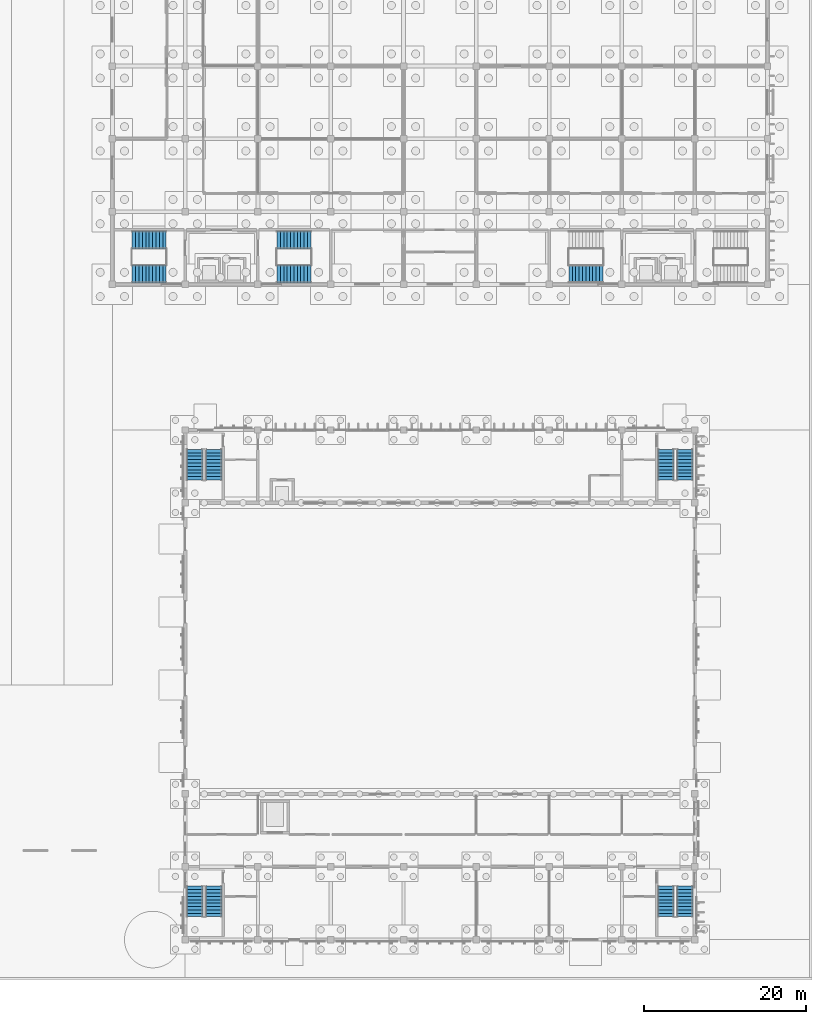
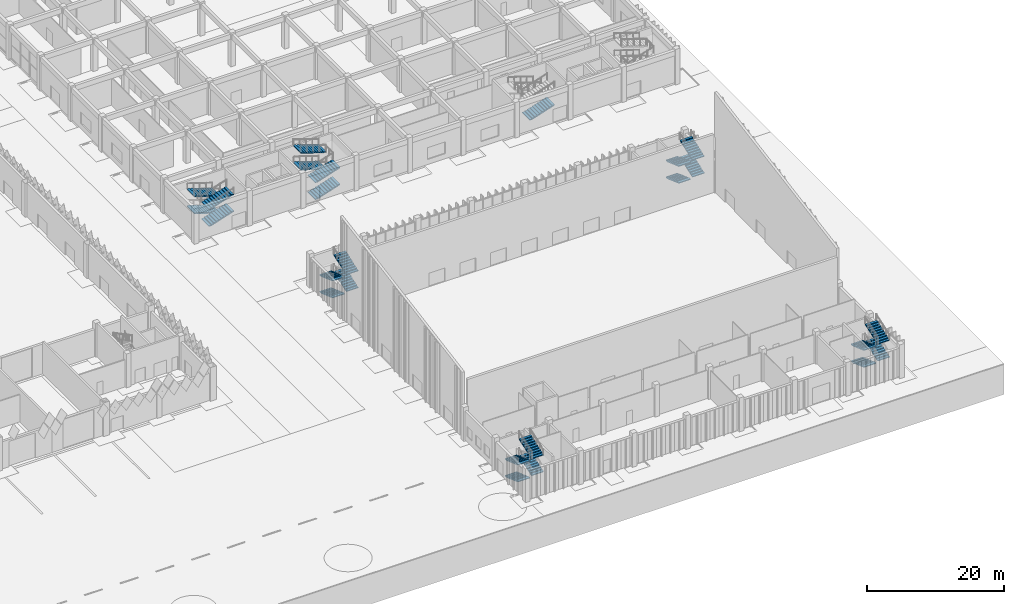
# One storey, part 111 of 198: 25 stair flights, 7 elements without a shape of their own.
"""IFC4 building model written with IfcOpenShell, lengths in metres."""

from ifc_helpers import new_model, si_unit, direction, frame, origin, place, context, subcontext, project, spatial, polyline, outline, extrude, material, type_object, element, aggregate, save


model = new_model("IFC4")

# Units and contexts
model_context = context("Model", 3, precision=1e-05, world=origin(), true_north=direction((0.0, 1.0)))
body_context = subcontext(model_context, "Body", "Model", "MODEL_VIEW")
ifc_project = project(units=[si_unit("LENGTHUNIT", "METRE"), si_unit("AREAUNIT", "SQUARE_METRE"), si_unit("VOLUMEUNIT", "CUBIC_METRE"), si_unit("PLANEANGLEUNIT", "RADIAN"), si_unit("MASSUNIT", "GRAM", prefix="KILO")], contexts=[model_context])

# Site, building, storey
site_placement = place(None, origin())
site = spatial("IfcSite", under=ifc_project, at=site_placement, CompositionType="ELEMENT")
building_placement = place(site_placement, origin())
building = spatial("IfcBuilding", under=site, at=building_placement, Name="Opaline Strait Convention Centre", CompositionType="ELEMENT")
storey_placement = place(building_placement, origin())
storey = spatial("IfcBuildingStorey", under=building, at=storey_placement, Name="L00", CompositionType="ELEMENT", Elevation=0.0)

# Stair, stair flights
ifc_material = material(Name="Concrete C40", Category="concrete")
stair_type_1 = type_object("IfcStairType", Name="Exit stair two flights 2000", PredefinedType="HALF_TURN_STAIR", material=ifc_material)
stair_1_placement = place(storey_placement, origin())
stair_1 = element("IfcStair", 1, at=stair_1_placement, inside=storey, type_object=stair_type_1, Name="L00 Ballroom stair NE", ObjectType="BS4", PredefinedType="HALF_TURN_STAIR")
stair_flight_type_1 = type_object("IfcStairFlightType", Name="Stair flight 2000 precast", PredefinedType="STRAIGHT", material=ifc_material)
stair_flight_1_placement = place(storey_placement, frame((347.449951171875, 69.60009765625, 0.0), z_axis=(0.0, 0.0, 1.0), x_axis=(0.0, -1.0, 0.0)))
stair_flight_1 = element("IfcStairFlight", 2, at=stair_flight_1_placement, type_object=stair_flight_type_1, Name="B-STNE flight 1", ObjectType="BS5", NumberOfRisers=10, NumberOfTreads=9, PredefinedType="STRAIGHT", RiserHeight=0.15, TreadLength=0.42, context=body_context, shape_type="SweptSolid", body=[
    extrude(outline(polyline([(0.0, 0.0), (0.0, 0.14990234375), (0.419921875, 0.14990234375), (0.419921875, 0.300048828125), (0.840087890625, 0.300048828125), (0.840087890625, 0.449951171875), (1.260009765625, 0.449951171875), (1.260009765625, 0.60009765625), (1.679931640625, 0.60009765625), (1.679931640625, 0.75), (2.10009765625, 0.75), (2.10009765625, 0.89990234375), (2.52001953125, 0.89990234375), (2.52001953125, 1.050048828125), (2.93994140625, 1.050048828125), (2.93994140625, 1.199951171875), (3.360107421875, 1.199951171875), (3.360107421875, 1.35009765625), (3.780029296875, 1.35009765625), (3.780029296875, 1.5), (3.780029296875, 1.19091796875), (0.44580078125, 0.0), (0.0, 0.0)])), frame((0.0, 1.0, 0.0), z_axis=(0.0, -1.0, 0.0), x_axis=(1.0, 0.0, 0.0)), (0.0, 0.0, 1.0), 2.0),
])
stair_flight_2_placement = place(storey_placement, frame((349.800048828125, 65.820068359375, 1.5), z_axis=(0.0, 0.0, 1.0), x_axis=(0.0, 1.0, 0.0)))
stair_flight_2 = element("IfcStairFlight", 3, at=stair_flight_2_placement, type_object=stair_flight_type_1, Name="B-STNE flight 2", ObjectType="BS5", NumberOfRisers=10, NumberOfTreads=9, PredefinedType="STRAIGHT", RiserHeight=0.15, TreadLength=0.42, context=body_context, shape_type="SweptSolid", body=[
    extrude(outline(polyline([(0.0, 0.0), (0.0, 0.14990234375), (0.419921875, 0.14990234375), (0.419921875, 0.300048828125), (0.840087890625, 0.300048828125), (0.840087890625, 0.449951171875), (1.260009765625, 0.449951171875), (1.260009765625, 0.60009765625), (1.679931640625, 0.60009765625), (1.679931640625, 0.75), (2.10009765625, 0.75), (2.10009765625, 0.89990234375), (2.52001953125, 0.89990234375), (2.52001953125, 1.050048828125), (2.93994140625, 1.050048828125), (2.93994140625, 1.199951171875), (3.360107421875, 1.199951171875), (3.360107421875, 1.35009765625), (3.780029296875, 1.35009765625), (3.780029296875, 1.5), (3.780029296875, 1.19091796875), (0.44580078125, 0.0), (0.0, 0.0)])), frame((0.0, 1.0, 0.0), z_axis=(0.0, -1.0, 0.0), x_axis=(1.0, 0.0, 0.0)), (0.0, 0.0, 1.0), 2.0),
])
stair_flight_3_placement = place(storey_placement, frame((347.449951171875, 69.60009765625, 3.0), z_axis=(0.0, 0.0, 1.0), x_axis=(0.0, -1.0, 0.0)))
stair_flight_3 = element("IfcStairFlight", 4, at=stair_flight_3_placement, type_object=stair_flight_type_1, Name="B-STNE flight 3", ObjectType="BS5", NumberOfRisers=10, NumberOfTreads=9, PredefinedType="STRAIGHT", RiserHeight=0.15, TreadLength=0.42, context=body_context, shape_type="SweptSolid", body=[
    extrude(outline(polyline([(0.0, 0.0), (0.0, 0.14990234375), (0.419921875, 0.14990234375), (0.419921875, 0.300048828125), (0.840087890625, 0.300048828125), (0.840087890625, 0.449951171875), (1.260009765625, 0.449951171875), (1.260009765625, 0.60009765625), (1.679931640625, 0.60009765625), (1.679931640625, 0.75), (2.10009765625, 0.75), (2.10009765625, 0.89990234375), (2.52001953125, 0.89990234375), (2.52001953125, 1.050048828125), (2.93994140625, 1.050048828125), (2.93994140625, 1.199951171875), (3.360107421875, 1.199951171875), (3.360107421875, 1.35009765625), (3.780029296875, 1.35009765625), (3.780029296875, 1.5), (3.780029296875, 1.19091796875), (0.44580078125, 0.0), (0.0, 0.0)])), frame((0.0, 1.0, 0.0), z_axis=(0.0, -1.0, 0.0), x_axis=(1.0, 0.0, 0.0)), (0.0, 0.0, 1.0), 2.0),
])
stair_flight_4_placement = place(storey_placement, frame((349.800048828125, 65.820068359375, 4.5), z_axis=(0.0, 0.0, 1.0), x_axis=(0.0, 1.0, 0.0)))
stair_flight_4 = element("IfcStairFlight", 5, at=stair_flight_4_placement, type_object=stair_flight_type_1, Name="B-STNE flight 4", ObjectType="BS5", NumberOfRisers=10, NumberOfTreads=9, PredefinedType="STRAIGHT", RiserHeight=0.15, TreadLength=0.42, context=body_context, shape_type="SweptSolid", body=[
    extrude(outline(polyline([(0.0, 0.0), (0.0, 0.14990234375), (0.419921875, 0.14990234375), (0.419921875, 0.300048828125), (0.840087890625, 0.300048828125), (0.840087890625, 0.449951171875), (1.260009765625, 0.449951171875), (1.260009765625, 0.60009765625), (1.679931640625, 0.60009765625), (1.679931640625, 0.75), (2.10009765625, 0.75), (2.10009765625, 0.89990234375), (2.52001953125, 0.89990234375), (2.52001953125, 1.050048828125), (2.93994140625, 1.050048828125), (2.93994140625, 1.199951171875), (3.360107421875, 1.199951171875), (3.360107421875, 1.35009765625), (3.780029296875, 1.35009765625), (3.780029296875, 1.5), (3.780029296875, 1.19091796875), (0.44580078125, 0.0), (0.0, 0.0)])), frame((0.0, 1.0, 0.0), z_axis=(0.0, -1.0, 0.0), x_axis=(1.0, 0.0, 0.0)), (0.0, 0.0, 1.0), 2.0),
])
aggregate(stair_1, [stair_flight_1, stair_flight_2, stair_flight_3, stair_flight_4])

stair_2_placement = place(storey_placement, origin())
stair_2 = element("IfcStair", 6, at=stair_2_placement, inside=storey, type_object=stair_type_1, Name="L00 Ballroom stair NW", ObjectType="BS4", PredefinedType="HALF_TURN_STAIR")
stair_flight_5_placement = place(storey_placement, frame((289.199951171875, 69.60009765625, 0.0), z_axis=(0.0, 0.0, 1.0), x_axis=(0.0, -1.0, 0.0)))
stair_flight_5 = element("IfcStairFlight", 7, at=stair_flight_5_placement, type_object=stair_flight_type_1, Name="B-STNW flight 1", ObjectType="BS5", NumberOfRisers=10, NumberOfTreads=9, PredefinedType="STRAIGHT", RiserHeight=0.15, TreadLength=0.42, context=body_context, shape_type="SweptSolid", body=[
    extrude(outline(polyline([(0.0, 0.0), (0.0, 0.14990234375), (0.419921875, 0.14990234375), (0.419921875, 0.300048828125), (0.840087890625, 0.300048828125), (0.840087890625, 0.449951171875), (1.260009765625, 0.449951171875), (1.260009765625, 0.60009765625), (1.679931640625, 0.60009765625), (1.679931640625, 0.75), (2.10009765625, 0.75), (2.10009765625, 0.89990234375), (2.52001953125, 0.89990234375), (2.52001953125, 1.050048828125), (2.93994140625, 1.050048828125), (2.93994140625, 1.199951171875), (3.360107421875, 1.199951171875), (3.360107421875, 1.35009765625), (3.780029296875, 1.35009765625), (3.780029296875, 1.5), (3.780029296875, 1.19091796875), (0.44580078125, 0.0), (0.0, 0.0)])), frame((0.0, 1.0, 0.0), z_axis=(0.0, -1.0, 0.0), x_axis=(1.0, 0.0, 0.0)), (0.0, 0.0, 1.0), 2.0),
])
stair_flight_6_placement = place(storey_placement, frame((291.550048828125, 65.820068359375, 1.5), z_axis=(0.0, 0.0, 1.0), x_axis=(0.0, 1.0, 0.0)))
stair_flight_6 = element("IfcStairFlight", 8, at=stair_flight_6_placement, type_object=stair_flight_type_1, Name="B-STNW flight 2", ObjectType="BS5", NumberOfRisers=10, NumberOfTreads=9, PredefinedType="STRAIGHT", RiserHeight=0.15, TreadLength=0.42, context=body_context, shape_type="SweptSolid", body=[
    extrude(outline(polyline([(0.0, 0.0), (0.0, 0.14990234375), (0.419921875, 0.14990234375), (0.419921875, 0.300048828125), (0.840087890625, 0.300048828125), (0.840087890625, 0.449951171875), (1.260009765625, 0.449951171875), (1.260009765625, 0.60009765625), (1.679931640625, 0.60009765625), (1.679931640625, 0.75), (2.10009765625, 0.75), (2.10009765625, 0.89990234375), (2.52001953125, 0.89990234375), (2.52001953125, 1.050048828125), (2.93994140625, 1.050048828125), (2.93994140625, 1.199951171875), (3.360107421875, 1.199951171875), (3.360107421875, 1.35009765625), (3.780029296875, 1.35009765625), (3.780029296875, 1.5), (3.780029296875, 1.19091796875), (0.44580078125, 0.0), (0.0, 0.0)])), frame((0.0, 1.0, 0.0), z_axis=(0.0, -1.0, 0.0), x_axis=(1.0, 0.0, 0.0)), (0.0, 0.0, 1.0), 2.0),
])
stair_flight_7_placement = place(storey_placement, frame((289.199951171875, 69.60009765625, 3.0), z_axis=(0.0, 0.0, 1.0), x_axis=(0.0, -1.0, 0.0)))
stair_flight_7 = element("IfcStairFlight", 9, at=stair_flight_7_placement, type_object=stair_flight_type_1, Name="B-STNW flight 3", ObjectType="BS5", NumberOfRisers=10, NumberOfTreads=9, PredefinedType="STRAIGHT", RiserHeight=0.15, TreadLength=0.42, context=body_context, shape_type="SweptSolid", body=[
    extrude(outline(polyline([(0.0, 0.0), (0.0, 0.14990234375), (0.419921875, 0.14990234375), (0.419921875, 0.300048828125), (0.840087890625, 0.300048828125), (0.840087890625, 0.449951171875), (1.260009765625, 0.449951171875), (1.260009765625, 0.60009765625), (1.679931640625, 0.60009765625), (1.679931640625, 0.75), (2.10009765625, 0.75), (2.10009765625, 0.89990234375), (2.52001953125, 0.89990234375), (2.52001953125, 1.050048828125), (2.93994140625, 1.050048828125), (2.93994140625, 1.199951171875), (3.360107421875, 1.199951171875), (3.360107421875, 1.35009765625), (3.780029296875, 1.35009765625), (3.780029296875, 1.5), (3.780029296875, 1.19091796875), (0.44580078125, 0.0), (0.0, 0.0)])), frame((0.0, 1.0, 0.0), z_axis=(0.0, -1.0, 0.0), x_axis=(1.0, 0.0, 0.0)), (0.0, 0.0, 1.0), 2.0),
])
stair_flight_8_placement = place(storey_placement, frame((291.550048828125, 65.820068359375, 4.5), z_axis=(0.0, 0.0, 1.0), x_axis=(0.0, 1.0, 0.0)))
stair_flight_8 = element("IfcStairFlight", 10, at=stair_flight_8_placement, type_object=stair_flight_type_1, Name="B-STNW flight 4", ObjectType="BS5", NumberOfRisers=10, NumberOfTreads=9, PredefinedType="STRAIGHT", RiserHeight=0.15, TreadLength=0.42, context=body_context, shape_type="SweptSolid", body=[
    extrude(outline(polyline([(0.0, 0.0), (0.0, 0.14990234375), (0.419921875, 0.14990234375), (0.419921875, 0.300048828125), (0.840087890625, 0.300048828125), (0.840087890625, 0.449951171875), (1.260009765625, 0.449951171875), (1.260009765625, 0.60009765625), (1.679931640625, 0.60009765625), (1.679931640625, 0.75), (2.10009765625, 0.75), (2.10009765625, 0.89990234375), (2.52001953125, 0.89990234375), (2.52001953125, 1.050048828125), (2.93994140625, 1.050048828125), (2.93994140625, 1.199951171875), (3.360107421875, 1.199951171875), (3.360107421875, 1.35009765625), (3.780029296875, 1.35009765625), (3.780029296875, 1.5), (3.780029296875, 1.19091796875), (0.44580078125, 0.0), (0.0, 0.0)])), frame((0.0, 1.0, 0.0), z_axis=(0.0, -1.0, 0.0), x_axis=(1.0, 0.0, 0.0)), (0.0, 0.0, 1.0), 2.0),
])
aggregate(stair_2, [stair_flight_5, stair_flight_6, stair_flight_7, stair_flight_8])

stair_3_placement = place(storey_placement, origin())
stair_3 = element("IfcStair", 11, at=stair_3_placement, inside=storey, type_object=stair_type_1, Name="L00 Ballroom stair SE", ObjectType="BS4", PredefinedType="HALF_TURN_STAIR")
stair_flight_9_placement = place(storey_placement, frame((347.449951171875, 15.60009765625, 0.0), z_axis=(0.0, 0.0, 1.0), x_axis=(0.0, -1.0, 0.0)))
stair_flight_9 = element("IfcStairFlight", 12, at=stair_flight_9_placement, type_object=stair_flight_type_1, Name="B-STSE flight 1", ObjectType="BS5", NumberOfRisers=10, NumberOfTreads=9, PredefinedType="STRAIGHT", RiserHeight=0.15, TreadLength=0.42, context=body_context, shape_type="SweptSolid", body=[
    extrude(outline(polyline([(0.0, 0.0), (0.0, 0.14990234375), (0.419921875, 0.14990234375), (0.419921875, 0.300048828125), (0.840087890625, 0.300048828125), (0.840087890625, 0.449951171875), (1.260009765625, 0.449951171875), (1.260009765625, 0.60009765625), (1.679931640625, 0.60009765625), (1.679931640625, 0.75), (2.10009765625, 0.75), (2.10009765625, 0.89990234375), (2.52001953125, 0.89990234375), (2.52001953125, 1.050048828125), (2.93994140625, 1.050048828125), (2.93994140625, 1.199951171875), (3.360107421875, 1.199951171875), (3.360107421875, 1.35009765625), (3.780029296875, 1.35009765625), (3.780029296875, 1.5), (3.780029296875, 1.19091796875), (0.44580078125, 0.0), (0.0, 0.0)])), frame((0.0, 1.0, 0.0), z_axis=(0.0, -1.0, 0.0), x_axis=(1.0, 0.0, 0.0)), (0.0, 0.0, 1.0), 2.0),
])
stair_flight_10_placement = place(storey_placement, frame((349.800048828125, 11.820068359375, 1.5), z_axis=(0.0, 0.0, 1.0), x_axis=(0.0, 1.0, 0.0)))
stair_flight_10 = element("IfcStairFlight", 13, at=stair_flight_10_placement, type_object=stair_flight_type_1, Name="B-STSE flight 2", ObjectType="BS5", NumberOfRisers=10, NumberOfTreads=9, PredefinedType="STRAIGHT", RiserHeight=0.15, TreadLength=0.42, context=body_context, shape_type="SweptSolid", body=[
    extrude(outline(polyline([(0.0, 0.0), (0.0, 0.14990234375), (0.419921875, 0.14990234375), (0.419921875, 0.300048828125), (0.840087890625, 0.300048828125), (0.840087890625, 0.449951171875), (1.260009765625, 0.449951171875), (1.260009765625, 0.60009765625), (1.679931640625, 0.60009765625), (1.679931640625, 0.75), (2.10009765625, 0.75), (2.10009765625, 0.89990234375), (2.52001953125, 0.89990234375), (2.52001953125, 1.050048828125), (2.93994140625, 1.050048828125), (2.93994140625, 1.199951171875), (3.360107421875, 1.199951171875), (3.360107421875, 1.35009765625), (3.780029296875, 1.35009765625), (3.780029296875, 1.5), (3.780029296875, 1.19091796875), (0.44580078125, 0.0), (0.0, 0.0)])), frame((0.0, 1.0, 0.0), z_axis=(0.0, -1.0, 0.0), x_axis=(1.0, 0.0, 0.0)), (0.0, 0.0, 1.0), 2.0),
])
stair_flight_11_placement = place(storey_placement, frame((347.449951171875, 15.60009765625, 3.0), z_axis=(0.0, 0.0, 1.0), x_axis=(0.0, -1.0, 0.0)))
stair_flight_11 = element("IfcStairFlight", 14, at=stair_flight_11_placement, type_object=stair_flight_type_1, Name="B-STSE flight 3", ObjectType="BS5", NumberOfRisers=10, NumberOfTreads=9, PredefinedType="STRAIGHT", RiserHeight=0.15, TreadLength=0.42, context=body_context, shape_type="SweptSolid", body=[
    extrude(outline(polyline([(0.0, 0.0), (0.0, 0.14990234375), (0.419921875, 0.14990234375), (0.419921875, 0.300048828125), (0.840087890625, 0.300048828125), (0.840087890625, 0.449951171875), (1.260009765625, 0.449951171875), (1.260009765625, 0.60009765625), (1.679931640625, 0.60009765625), (1.679931640625, 0.75), (2.10009765625, 0.75), (2.10009765625, 0.89990234375), (2.52001953125, 0.89990234375), (2.52001953125, 1.050048828125), (2.93994140625, 1.050048828125), (2.93994140625, 1.199951171875), (3.360107421875, 1.199951171875), (3.360107421875, 1.35009765625), (3.780029296875, 1.35009765625), (3.780029296875, 1.5), (3.780029296875, 1.19091796875), (0.44580078125, 0.0), (0.0, 0.0)])), frame((0.0, 1.0, 0.0), z_axis=(0.0, -1.0, 0.0), x_axis=(1.0, 0.0, 0.0)), (0.0, 0.0, 1.0), 2.0),
])
stair_flight_12_placement = place(storey_placement, frame((349.800048828125, 11.820068359375, 4.5), z_axis=(0.0, 0.0, 1.0), x_axis=(0.0, 1.0, 0.0)))
stair_flight_12 = element("IfcStairFlight", 15, at=stair_flight_12_placement, type_object=stair_flight_type_1, Name="B-STSE flight 4", ObjectType="BS5", NumberOfRisers=10, NumberOfTreads=9, PredefinedType="STRAIGHT", RiserHeight=0.15, TreadLength=0.42, context=body_context, shape_type="SweptSolid", body=[
    extrude(outline(polyline([(0.0, 0.0), (0.0, 0.14990234375), (0.419921875, 0.14990234375), (0.419921875, 0.300048828125), (0.840087890625, 0.300048828125), (0.840087890625, 0.449951171875), (1.260009765625, 0.449951171875), (1.260009765625, 0.60009765625), (1.679931640625, 0.60009765625), (1.679931640625, 0.75), (2.10009765625, 0.75), (2.10009765625, 0.89990234375), (2.52001953125, 0.89990234375), (2.52001953125, 1.050048828125), (2.93994140625, 1.050048828125), (2.93994140625, 1.199951171875), (3.360107421875, 1.199951171875), (3.360107421875, 1.35009765625), (3.780029296875, 1.35009765625), (3.780029296875, 1.5), (3.780029296875, 1.19091796875), (0.44580078125, 0.0), (0.0, 0.0)])), frame((0.0, 1.0, 0.0), z_axis=(0.0, -1.0, 0.0), x_axis=(1.0, 0.0, 0.0)), (0.0, 0.0, 1.0), 2.0),
])
aggregate(stair_3, [stair_flight_9, stair_flight_10, stair_flight_11, stair_flight_12])

stair_4_placement = place(storey_placement, origin())
stair_4 = element("IfcStair", 16, at=stair_4_placement, inside=storey, type_object=stair_type_1, Name="L00 Ballroom stair SW", ObjectType="BS4", PredefinedType="HALF_TURN_STAIR")
stair_flight_13_placement = place(storey_placement, frame((289.199951171875, 15.60009765625, 0.0), z_axis=(0.0, 0.0, 1.0), x_axis=(0.0, -1.0, 0.0)))
stair_flight_13 = element("IfcStairFlight", 17, at=stair_flight_13_placement, type_object=stair_flight_type_1, Name="B-STSW flight 1", ObjectType="BS5", NumberOfRisers=10, NumberOfTreads=9, PredefinedType="STRAIGHT", RiserHeight=0.15, TreadLength=0.42, context=body_context, shape_type="SweptSolid", body=[
    extrude(outline(polyline([(0.0, 0.0), (0.0, 0.14990234375), (0.419921875, 0.14990234375), (0.419921875, 0.300048828125), (0.840087890625, 0.300048828125), (0.840087890625, 0.449951171875), (1.260009765625, 0.449951171875), (1.260009765625, 0.60009765625), (1.679931640625, 0.60009765625), (1.679931640625, 0.75), (2.10009765625, 0.75), (2.10009765625, 0.89990234375), (2.52001953125, 0.89990234375), (2.52001953125, 1.050048828125), (2.93994140625, 1.050048828125), (2.93994140625, 1.199951171875), (3.360107421875, 1.199951171875), (3.360107421875, 1.35009765625), (3.780029296875, 1.35009765625), (3.780029296875, 1.5), (3.780029296875, 1.19091796875), (0.44580078125, 0.0), (0.0, 0.0)])), frame((0.0, 1.0, 0.0), z_axis=(0.0, -1.0, 0.0), x_axis=(1.0, 0.0, 0.0)), (0.0, 0.0, 1.0), 2.0),
])
stair_flight_14_placement = place(storey_placement, frame((291.550048828125, 11.820068359375, 1.5), z_axis=(0.0, 0.0, 1.0), x_axis=(0.0, 1.0, 0.0)))
stair_flight_14 = element("IfcStairFlight", 18, at=stair_flight_14_placement, type_object=stair_flight_type_1, Name="B-STSW flight 2", ObjectType="BS5", NumberOfRisers=10, NumberOfTreads=9, PredefinedType="STRAIGHT", RiserHeight=0.15, TreadLength=0.42, context=body_context, shape_type="SweptSolid", body=[
    extrude(outline(polyline([(0.0, 0.0), (0.0, 0.14990234375), (0.419921875, 0.14990234375), (0.419921875, 0.300048828125), (0.840087890625, 0.300048828125), (0.840087890625, 0.449951171875), (1.260009765625, 0.449951171875), (1.260009765625, 0.60009765625), (1.679931640625, 0.60009765625), (1.679931640625, 0.75), (2.10009765625, 0.75), (2.10009765625, 0.89990234375), (2.52001953125, 0.89990234375), (2.52001953125, 1.050048828125), (2.93994140625, 1.050048828125), (2.93994140625, 1.199951171875), (3.360107421875, 1.199951171875), (3.360107421875, 1.35009765625), (3.780029296875, 1.35009765625), (3.780029296875, 1.5), (3.780029296875, 1.19091796875), (0.44580078125, 0.0), (0.0, 0.0)])), frame((0.0, 1.0, 0.0), z_axis=(0.0, -1.0, 0.0), x_axis=(1.0, 0.0, 0.0)), (0.0, 0.0, 1.0), 2.0),
])
stair_flight_15_placement = place(storey_placement, frame((289.199951171875, 15.60009765625, 3.0), z_axis=(0.0, 0.0, 1.0), x_axis=(0.0, -1.0, 0.0)))
stair_flight_15 = element("IfcStairFlight", 19, at=stair_flight_15_placement, type_object=stair_flight_type_1, Name="B-STSW flight 3", ObjectType="BS5", NumberOfRisers=10, NumberOfTreads=9, PredefinedType="STRAIGHT", RiserHeight=0.15, TreadLength=0.42, context=body_context, shape_type="SweptSolid", body=[
    extrude(outline(polyline([(0.0, 0.0), (0.0, 0.14990234375), (0.419921875, 0.14990234375), (0.419921875, 0.300048828125), (0.840087890625, 0.300048828125), (0.840087890625, 0.449951171875), (1.260009765625, 0.449951171875), (1.260009765625, 0.60009765625), (1.679931640625, 0.60009765625), (1.679931640625, 0.75), (2.10009765625, 0.75), (2.10009765625, 0.89990234375), (2.52001953125, 0.89990234375), (2.52001953125, 1.050048828125), (2.93994140625, 1.050048828125), (2.93994140625, 1.199951171875), (3.360107421875, 1.199951171875), (3.360107421875, 1.35009765625), (3.780029296875, 1.35009765625), (3.780029296875, 1.5), (3.780029296875, 1.19091796875), (0.44580078125, 0.0), (0.0, 0.0)])), frame((0.0, 1.0, 0.0), z_axis=(0.0, -1.0, 0.0), x_axis=(1.0, 0.0, 0.0)), (0.0, 0.0, 1.0), 2.0),
])
stair_flight_16_placement = place(storey_placement, frame((291.550048828125, 11.820068359375, 4.5), z_axis=(0.0, 0.0, 1.0), x_axis=(0.0, 1.0, 0.0)))
stair_flight_16 = element("IfcStairFlight", 20, at=stair_flight_16_placement, type_object=stair_flight_type_1, Name="B-STSW flight 4", ObjectType="BS5", NumberOfRisers=10, NumberOfTreads=9, PredefinedType="STRAIGHT", RiserHeight=0.15, TreadLength=0.42, context=body_context, shape_type="SweptSolid", body=[
    extrude(outline(polyline([(0.0, 0.0), (0.0, 0.14990234375), (0.419921875, 0.14990234375), (0.419921875, 0.300048828125), (0.840087890625, 0.300048828125), (0.840087890625, 0.449951171875), (1.260009765625, 0.449951171875), (1.260009765625, 0.60009765625), (1.679931640625, 0.60009765625), (1.679931640625, 0.75), (2.10009765625, 0.75), (2.10009765625, 0.89990234375), (2.52001953125, 0.89990234375), (2.52001953125, 1.050048828125), (2.93994140625, 1.050048828125), (2.93994140625, 1.199951171875), (3.360107421875, 1.199951171875), (3.360107421875, 1.35009765625), (3.780029296875, 1.35009765625), (3.780029296875, 1.5), (3.780029296875, 1.19091796875), (0.44580078125, 0.0), (0.0, 0.0)])), frame((0.0, 1.0, 0.0), z_axis=(0.0, -1.0, 0.0), x_axis=(1.0, 0.0, 0.0)), (0.0, 0.0, 1.0), 2.0),
])
aggregate(stair_4, [stair_flight_13, stair_flight_14, stair_flight_15, stair_flight_16])

stair_type_2 = type_object("IfcStairType", Name="Escape stair half-turn 2200 concrete C40", PredefinedType="HALF_TURN_STAIR", material=ifc_material)
stair_5_placement = place(storey_placement, origin())
stair_5 = element("IfcStair", 21, at=stair_5_placement, inside=storey, type_object=stair_type_2, Name="L00 Stair S1-MTG", ObjectType="MST1", PredefinedType="HALF_TURN_STAIR")
stair_flight_type_2 = type_object("IfcStairFlightType", Name="Stair flight 2200 concrete C40", PredefinedType="STRAIGHT", material=ifc_material)
stair_flight_17_placement = place(storey_placement, frame((285.650146484375, 95.5, 0.0), z_axis=(0.0, 0.0, 1.0), x_axis=(-1.0, 0.0, 0.0)))
stair_flight_17 = element("IfcStairFlight", 22, at=stair_flight_17_placement, type_object=stair_flight_type_2, Name="S1 flight 1", ObjectType="MSF2", NumberOfRisers=11, NumberOfTreads=10, PredefinedType="STRAIGHT", RiserHeight=0.136363636, TreadLength=0.42, context=body_context, shape_type="SweptSolid", body=[
    extrude(outline(polyline([(0.0, 0.0), (0.0, 0.136474609375), (0.419921875, 0.136474609375), (0.419921875, 0.272705078125), (0.840087890625, 0.272705078125), (0.840087890625, 0.4091796875), (1.260009765625, 0.4091796875), (1.260009765625, 0.54541015625), (1.679931640625, 0.54541015625), (1.679931640625, 0.681884765625), (2.10009765625, 0.681884765625), (2.10009765625, 0.818115234375), (2.52001953125, 0.818115234375), (2.52001953125, 0.95458984375), (2.93994140625, 0.95458984375), (2.93994140625, 1.0908203125), (3.360107421875, 1.0908203125), (3.360107421875, 1.227294921875), (3.780029296875, 1.227294921875), (3.780029296875, 1.363525390625), (4.199951171875, 1.363525390625), (4.199951171875, 1.5), (4.199951171875, 1.2060546875), (0.4853515625, 0.0), (0.0, 0.0)])), frame((0.0, 1.10009765625, 0.0), z_axis=(0.0, -1.0, 0.0), x_axis=(1.0, 0.0, 0.0)), (0.0, 0.0, 1.0), 2.199951171875),
])
stair_flight_18_placement = place(storey_placement, frame((281.4501953125, 91.300048828125, 1.5), z_axis=(0.0, 0.0, 1.0), x_axis=(1.0, 0.0, 0.0)))
stair_flight_18 = element("IfcStairFlight", 23, at=stair_flight_18_placement, type_object=stair_flight_type_2, Name="S1 flight 2", ObjectType="MSF2", NumberOfRisers=11, NumberOfTreads=10, PredefinedType="STRAIGHT", RiserHeight=0.136363636, TreadLength=0.42, context=body_context, shape_type="SweptSolid", body=[
    extrude(outline(polyline([(0.0, 0.0), (0.0, 0.136474609375), (0.419921875, 0.136474609375), (0.419921875, 0.272705078125), (0.840087890625, 0.272705078125), (0.840087890625, 0.4091796875), (1.260009765625, 0.4091796875), (1.260009765625, 0.54541015625), (1.679931640625, 0.54541015625), (1.679931640625, 0.681884765625), (2.10009765625, 0.681884765625), (2.10009765625, 0.818115234375), (2.52001953125, 0.818115234375), (2.52001953125, 0.95458984375), (2.93994140625, 0.95458984375), (2.93994140625, 1.0908203125), (3.360107421875, 1.0908203125), (3.360107421875, 1.227294921875), (3.780029296875, 1.227294921875), (3.780029296875, 1.363525390625), (4.199951171875, 1.363525390625), (4.199951171875, 1.5), (4.199951171875, 1.2060546875), (0.4853515625, 0.0), (0.0, 0.0)])), frame((0.0, 1.10009765625, 0.0), z_axis=(0.0, -1.0, 0.0), x_axis=(1.0, 0.0, 0.0)), (0.0, 0.0, 1.0), 2.199951171875),
])
stair_flight_19_placement = place(storey_placement, frame((285.650146484375, 95.5, 3.0), z_axis=(0.0, 0.0, 1.0), x_axis=(-1.0, 0.0, 0.0)))
stair_flight_19 = element("IfcStairFlight", 24, at=stair_flight_19_placement, type_object=stair_flight_type_2, Name="S1 flight 3", ObjectType="MSF2", NumberOfRisers=11, NumberOfTreads=10, PredefinedType="STRAIGHT", RiserHeight=0.136363636, TreadLength=0.42, context=body_context, shape_type="SweptSolid", body=[
    extrude(outline(polyline([(0.0, 0.0), (0.0, 0.136474609375), (0.419921875, 0.136474609375), (0.419921875, 0.272705078125), (0.840087890625, 0.272705078125), (0.840087890625, 0.4091796875), (1.260009765625, 0.4091796875), (1.260009765625, 0.54541015625), (1.679931640625, 0.54541015625), (1.679931640625, 0.681884765625), (2.10009765625, 0.681884765625), (2.10009765625, 0.818115234375), (2.52001953125, 0.818115234375), (2.52001953125, 0.95458984375), (2.93994140625, 0.95458984375), (2.93994140625, 1.0908203125), (3.360107421875, 1.0908203125), (3.360107421875, 1.227294921875), (3.780029296875, 1.227294921875), (3.780029296875, 1.363525390625), (4.199951171875, 1.363525390625), (4.199951171875, 1.5), (4.199951171875, 1.2060546875), (0.4853515625, 0.0), (0.0, 0.0)])), frame((0.0, 1.10009765625, 0.0), z_axis=(0.0, -1.0, 0.0), x_axis=(1.0, 0.0, 0.0)), (0.0, 0.0, 1.0), 2.199951171875),
])
stair_flight_20_placement = place(storey_placement, frame((281.4501953125, 91.300048828125, 4.5), z_axis=(0.0, 0.0, 1.0), x_axis=(1.0, 0.0, 0.0)))
stair_flight_20 = element("IfcStairFlight", 25, at=stair_flight_20_placement, type_object=stair_flight_type_2, Name="S1 flight 4", ObjectType="MSF2", NumberOfRisers=11, NumberOfTreads=10, PredefinedType="STRAIGHT", RiserHeight=0.136363636, TreadLength=0.42, context=body_context, shape_type="SweptSolid", body=[
    extrude(outline(polyline([(0.0, 0.0), (0.0, 0.136474609375), (0.419921875, 0.136474609375), (0.419921875, 0.272705078125), (0.840087890625, 0.272705078125), (0.840087890625, 0.4091796875), (1.260009765625, 0.4091796875), (1.260009765625, 0.54541015625), (1.679931640625, 0.54541015625), (1.679931640625, 0.681884765625), (2.10009765625, 0.681884765625), (2.10009765625, 0.818115234375), (2.52001953125, 0.818115234375), (2.52001953125, 0.95458984375), (2.93994140625, 0.95458984375), (2.93994140625, 1.0908203125), (3.360107421875, 1.0908203125), (3.360107421875, 1.227294921875), (3.780029296875, 1.227294921875), (3.780029296875, 1.363525390625), (4.199951171875, 1.363525390625), (4.199951171875, 1.5), (4.199951171875, 1.2060546875), (0.4853515625, 0.0), (0.0, 0.0)])), frame((0.0, 1.10009765625, 0.0), z_axis=(0.0, -1.0, 0.0), x_axis=(1.0, 0.0, 0.0)), (0.0, 0.0, 1.0), 2.199951171875),
])
aggregate(stair_5, [stair_flight_17, stair_flight_18, stair_flight_19, stair_flight_20])

stair_6_placement = place(storey_placement, origin())
stair_6 = element("IfcStair", 26, at=stair_6_placement, inside=storey, type_object=stair_type_2, Name="L00 Stair S2-MTG", ObjectType="MST1", PredefinedType="HALF_TURN_STAIR")
stair_flight_21_placement = place(storey_placement, frame((299.349853515625, 91.300048828125, 0.0), z_axis=(0.0, 0.0, 1.0), x_axis=(1.0, 0.0, 0.0)))
stair_flight_21 = element("IfcStairFlight", 27, at=stair_flight_21_placement, type_object=stair_flight_type_2, Name="S2 flight 1", ObjectType="MSF2", NumberOfRisers=11, NumberOfTreads=10, PredefinedType="STRAIGHT", RiserHeight=0.136363636, TreadLength=0.42, context=body_context, shape_type="SweptSolid", body=[
    extrude(outline(polyline([(0.0, 0.0), (0.0, 0.136474609375), (0.419921875, 0.136474609375), (0.419921875, 0.272705078125), (0.840087890625, 0.272705078125), (0.840087890625, 0.4091796875), (1.260009765625, 0.4091796875), (1.260009765625, 0.54541015625), (1.679931640625, 0.54541015625), (1.679931640625, 0.681884765625), (2.10009765625, 0.681884765625), (2.10009765625, 0.818115234375), (2.52001953125, 0.818115234375), (2.52001953125, 0.95458984375), (2.93994140625, 0.95458984375), (2.93994140625, 1.0908203125), (3.360107421875, 1.0908203125), (3.360107421875, 1.227294921875), (3.780029296875, 1.227294921875), (3.780029296875, 1.363525390625), (4.199951171875, 1.363525390625), (4.199951171875, 1.5), (4.199951171875, 1.2060546875), (0.4853515625, 0.0), (0.0, 0.0)])), frame((0.0, 1.10009765625, 0.0), z_axis=(0.0, -1.0, 0.0), x_axis=(1.0, 0.0, 0.0)), (0.0, 0.0, 1.0), 2.199951171875),
])
stair_flight_22_placement = place(storey_placement, frame((303.5498046875, 95.5, 1.5), z_axis=(0.0, 0.0, 1.0), x_axis=(-1.0, 0.0, 0.0)))
stair_flight_22 = element("IfcStairFlight", 28, at=stair_flight_22_placement, type_object=stair_flight_type_2, Name="S2 flight 2", ObjectType="MSF2", NumberOfRisers=11, NumberOfTreads=10, PredefinedType="STRAIGHT", RiserHeight=0.136363636, TreadLength=0.42, context=body_context, shape_type="SweptSolid", body=[
    extrude(outline(polyline([(0.0, 0.0), (0.0, 0.136474609375), (0.419921875, 0.136474609375), (0.419921875, 0.272705078125), (0.840087890625, 0.272705078125), (0.840087890625, 0.4091796875), (1.260009765625, 0.4091796875), (1.260009765625, 0.54541015625), (1.679931640625, 0.54541015625), (1.679931640625, 0.681884765625), (2.10009765625, 0.681884765625), (2.10009765625, 0.818115234375), (2.52001953125, 0.818115234375), (2.52001953125, 0.95458984375), (2.93994140625, 0.95458984375), (2.93994140625, 1.0908203125), (3.360107421875, 1.0908203125), (3.360107421875, 1.227294921875), (3.780029296875, 1.227294921875), (3.780029296875, 1.363525390625), (4.199951171875, 1.363525390625), (4.199951171875, 1.5), (4.199951171875, 1.2060546875), (0.4853515625, 0.0), (0.0, 0.0)])), frame((0.0, 1.10009765625, 0.0), z_axis=(0.0, -1.0, 0.0), x_axis=(1.0, 0.0, 0.0)), (0.0, 0.0, 1.0), 2.199951171875),
])
stair_flight_23_placement = place(storey_placement, frame((299.349853515625, 91.300048828125, 3.0), z_axis=(0.0, 0.0, 1.0), x_axis=(1.0, 0.0, 0.0)))
stair_flight_23 = element("IfcStairFlight", 29, at=stair_flight_23_placement, type_object=stair_flight_type_2, Name="S2 flight 3", ObjectType="MSF2", NumberOfRisers=11, NumberOfTreads=10, PredefinedType="STRAIGHT", RiserHeight=0.136363636, TreadLength=0.42, context=body_context, shape_type="SweptSolid", body=[
    extrude(outline(polyline([(0.0, 0.0), (0.0, 0.136474609375), (0.419921875, 0.136474609375), (0.419921875, 0.272705078125), (0.840087890625, 0.272705078125), (0.840087890625, 0.4091796875), (1.260009765625, 0.4091796875), (1.260009765625, 0.54541015625), (1.679931640625, 0.54541015625), (1.679931640625, 0.681884765625), (2.10009765625, 0.681884765625), (2.10009765625, 0.818115234375), (2.52001953125, 0.818115234375), (2.52001953125, 0.95458984375), (2.93994140625, 0.95458984375), (2.93994140625, 1.0908203125), (3.360107421875, 1.0908203125), (3.360107421875, 1.227294921875), (3.780029296875, 1.227294921875), (3.780029296875, 1.363525390625), (4.199951171875, 1.363525390625), (4.199951171875, 1.5), (4.199951171875, 1.2060546875), (0.4853515625, 0.0), (0.0, 0.0)])), frame((0.0, 1.10009765625, 0.0), z_axis=(0.0, -1.0, 0.0), x_axis=(1.0, 0.0, 0.0)), (0.0, 0.0, 1.0), 2.199951171875),
])
stair_flight_24_placement = place(storey_placement, frame((303.5498046875, 95.5, 4.5), z_axis=(0.0, 0.0, 1.0), x_axis=(-1.0, 0.0, 0.0)))
stair_flight_24 = element("IfcStairFlight", 30, at=stair_flight_24_placement, type_object=stair_flight_type_2, Name="S2 flight 4", ObjectType="MSF2", NumberOfRisers=11, NumberOfTreads=10, PredefinedType="STRAIGHT", RiserHeight=0.136363636, TreadLength=0.42, context=body_context, shape_type="SweptSolid", body=[
    extrude(outline(polyline([(0.0, 0.0), (0.0, 0.136474609375), (0.419921875, 0.136474609375), (0.419921875, 0.272705078125), (0.840087890625, 0.272705078125), (0.840087890625, 0.4091796875), (1.260009765625, 0.4091796875), (1.260009765625, 0.54541015625), (1.679931640625, 0.54541015625), (1.679931640625, 0.681884765625), (2.10009765625, 0.681884765625), (2.10009765625, 0.818115234375), (2.52001953125, 0.818115234375), (2.52001953125, 0.95458984375), (2.93994140625, 0.95458984375), (2.93994140625, 1.0908203125), (3.360107421875, 1.0908203125), (3.360107421875, 1.227294921875), (3.780029296875, 1.227294921875), (3.780029296875, 1.363525390625), (4.199951171875, 1.363525390625), (4.199951171875, 1.5), (4.199951171875, 1.2060546875), (0.4853515625, 0.0), (0.0, 0.0)])), frame((0.0, 1.10009765625, 0.0), z_axis=(0.0, -1.0, 0.0), x_axis=(1.0, 0.0, 0.0)), (0.0, 0.0, 1.0), 2.199951171875),
])
aggregate(stair_6, [stair_flight_21, stair_flight_22, stair_flight_23, stair_flight_24])

# Stair, stair flight
stair_7_placement = place(storey_placement, origin())
stair_7 = element("IfcStair", 31, at=stair_7_placement, inside=storey, type_object=stair_type_2, Name="L00 Stair S4-MTG", ObjectType="MST1", PredefinedType="HALF_TURN_STAIR")
stair_flight_25_placement = place(storey_placement, frame((335.4501953125, 91.300048828125, 1.5), z_axis=(0.0, 0.0, 1.0), x_axis=(1.0, 0.0, 0.0)))
stair_flight_25 = element("IfcStairFlight", 32, at=stair_flight_25_placement, type_object=stair_flight_type_2, Name="S4 flight 2", ObjectType="MSF2", NumberOfRisers=11, NumberOfTreads=10, PredefinedType="STRAIGHT", RiserHeight=0.136363636, TreadLength=0.42, context=body_context, shape_type="SweptSolid", body=[
    extrude(outline(polyline([(0.0, 0.0), (0.0, 0.136474609375), (0.419921875, 0.136474609375), (0.419921875, 0.272705078125), (0.840087890625, 0.272705078125), (0.840087890625, 0.4091796875), (1.260009765625, 0.4091796875), (1.260009765625, 0.54541015625), (1.679931640625, 0.54541015625), (1.679931640625, 0.681884765625), (2.10009765625, 0.681884765625), (2.10009765625, 0.818115234375), (2.52001953125, 0.818115234375), (2.52001953125, 0.95458984375), (2.93994140625, 0.95458984375), (2.93994140625, 1.0908203125), (3.360107421875, 1.0908203125), (3.360107421875, 1.227294921875), (3.780029296875, 1.227294921875), (3.780029296875, 1.363525390625), (4.199951171875, 1.363525390625), (4.199951171875, 1.5), (4.199951171875, 1.2060546875), (0.4853515625, 0.0), (0.0, 0.0)])), frame((0.0, 1.10009765625, 0.0), z_axis=(0.0, -1.0, 0.0), x_axis=(1.0, 0.0, 0.0)), (0.0, 0.0, 1.0), 2.199951171875),
])
aggregate(stair_7, [stair_flight_25])

save(model, "model.ifc")
